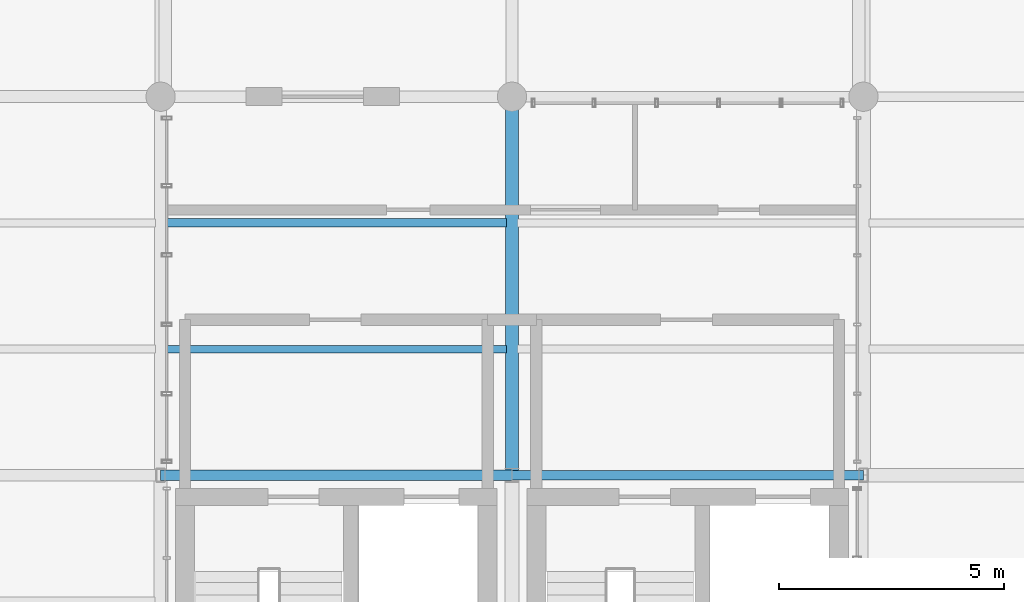
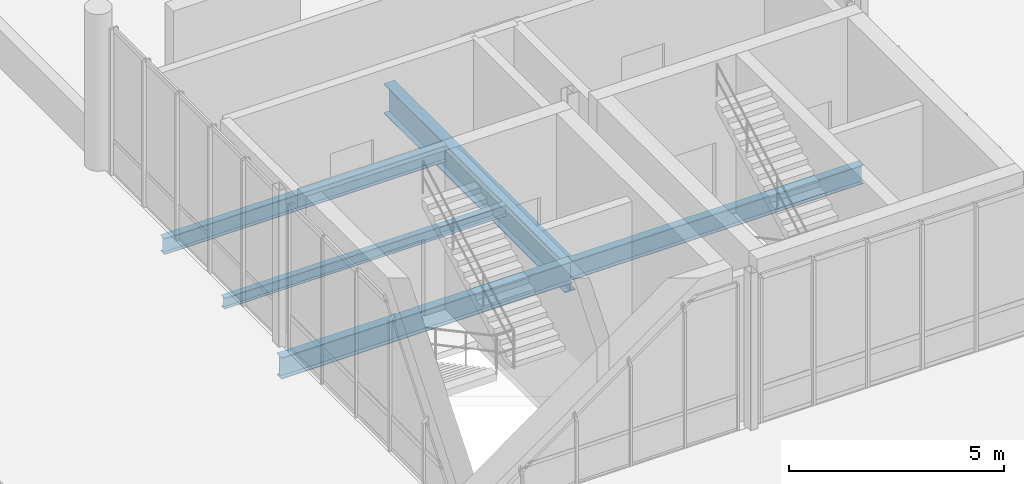
# One storey, part 42 of 66: 5 beams.
"""IFC4 building model written with IfcOpenShell, lengths in metres."""

from ifc_helpers import new_model, si_unit, direction, frame, origin_with_axes, origin_2d_with_axis, place, context, subcontext, project, spatial, i_section, extrude, material, material_profile, profile_set, type_object, element, save


model = new_model("IFC4")

# Units and contexts
model_context = context("Model", 3, precision=1e-05, world=origin_with_axes(), true_north=direction((0.0, 1.0)))
body_context = subcontext(model_context, "Body", "Model", "MODEL_VIEW")
ifc_project = project(units=[si_unit("LENGTHUNIT", "METRE"), si_unit("AREAUNIT", "SQUARE_METRE"), si_unit("VOLUMEUNIT", "CUBIC_METRE"), si_unit("PLANEANGLEUNIT", "RADIAN"), si_unit("MASSUNIT", "GRAM", prefix="KILO"), si_unit("THERMODYNAMICTEMPERATUREUNIT", "KELVIN")], contexts=[model_context])

# Site, building, storey
site_placement = place(None, origin_with_axes())
site = spatial("IfcSite", under=ifc_project, at=site_placement, CompositionType="ELEMENT")
building_placement = place(site_placement, origin_with_axes())
building = spatial("IfcBuilding", under=site, at=building_placement, Name="Montbau Bow Law Courts", CompositionType="ELEMENT")
storey_placement = place(building_placement, frame((0.0, 0.0, 34.5), z_axis=(0.0, 0.0, 1.0), x_axis=(1.0, 0.0, 0.0)))
storey = spatial("IfcBuildingStorey", under=building, at=storey_placement, Name="L07", CompositionType="ELEMENT", Elevation=34.5)

# Beams
ifc_material = material(Name="Steel CSA G40.21 Grade 350W (350 MPa)", Category="steel")
ifc_material_profile_1 = material_profile(ifc_material, i_section(OverallWidth=0.293, OverallDepth=0.846, WebThickness=0.0154, FlangeThickness=0.0244, at=origin_2d_with_axis()), Name="W840X210", Category="Main", Priority=0)
ifc_profile_set_1 = profile_set([ifc_material_profile_1], Name="Steel CSA G40.21 Grade 350W (350 MPa)")
beam_type_1 = type_object("IfcBeamType", Name="B-FLR-02", PredefinedType="BEAM", material=ifc_profile_set_1)
beam_1_placement = place(None, frame((154.8, 94.8, 33.717), z_axis=(0.0, 1.0, 0.0), x_axis=(-1.0, 0.0, 0.0)))
element("IfcBeam", 1, at=beam_1_placement, inside=storey, type_object=beam_type_1, Name="BM-L07-S1368:bm2_1371", PredefinedType="BEAM", context=body_context, shape_type="SweptSolid", body=[
    extrude(i_section(OverallWidth=0.293, OverallDepth=0.846, WebThickness=0.0154, FlangeThickness=0.0244, at=origin_2d_with_axis()), origin_with_axes(), (0.0, 0.0, 1.0), 8.4),
])
ifc_material_profile_2 = material_profile(ifc_material, i_section(OverallWidth=0.229, OverallDepth=0.612, WebThickness=0.0119, FlangeThickness=0.0196, at=origin_2d_with_axis()), Name="W610X125", Category="Main", Priority=0)
ifc_profile_set_2 = profile_set([ifc_material_profile_2], Name="Steel CSA G40.21 Grade 350W (350 MPa)")
beam_type_2 = type_object("IfcBeamType", Name="B-FLR-05", PredefinedType="BEAM", material=ifc_profile_set_2)
beam_2_placement = place(None, frame((147.0, 94.8, 33.904), z_axis=(1.0, 0.0, 0.0), x_axis=(0.0, 1.0, 0.0)))
element("IfcBeam", 2, at=beam_2_placement, inside=storey, type_object=beam_type_2, Name="BM-L07-S1347:bm2_1350", PredefinedType="BEAM", context=body_context, shape_type="SweptSolid", body=[
    extrude(i_section(OverallWidth=0.229, OverallDepth=0.612, WebThickness=0.0119, FlangeThickness=0.0196, at=origin_2d_with_axis()), origin_with_axes(), (0.0, 0.0, 1.0), 7.8),
])
ifc_material_profile_3 = material_profile(ifc_material, i_section(OverallWidth=0.21, OverallDepth=0.537, WebThickness=0.0109, FlangeThickness=0.0174, at=origin_2d_with_axis()), Name="W530X101", Category="Main", Priority=0)
ifc_profile_set_3 = profile_set([ifc_material_profile_3], Name="Steel CSA G40.21 Grade 350W (350 MPa)")
beam_type_3 = type_object("IfcBeamType", Name="B-FLR-06", PredefinedType="BEAM", material=ifc_profile_set_3)
beam_3_placement = place(None, frame((154.8, 94.8, 33.941), z_axis=(1.0, 0.0, 0.0), x_axis=(0.0, 1.0, 0.0)))
element("IfcBeam", 3, at=beam_3_placement, inside=storey, type_object=beam_type_3, Name="BM-L07-S1348:bm2_1351", PredefinedType="BEAM", context=body_context, shape_type="SweptSolid", body=[
    extrude(i_section(OverallWidth=0.21, OverallDepth=0.537, WebThickness=0.0109, FlangeThickness=0.0174, at=origin_2d_with_axis()), origin_with_axes(), (0.0, 0.0, 1.0), 7.8),
])
ifc_material_profile_4 = material_profile(ifc_material, i_section(OverallWidth=0.191, OverallDepth=0.46, WebThickness=0.0099, FlangeThickness=0.016, at=origin_2d_with_axis()), Name="W460X82", Category="Main", Priority=0)
ifc_profile_set_4 = profile_set([ifc_material_profile_4], Name="Steel CSA G40.21 Grade 350W (350 MPa)")
beam_type_4 = type_object("IfcBeamType", Name="B-JST-01", PredefinedType="JOIST", material=ifc_profile_set_4)
beam_4_placement = place(None, frame((147.109, 100.4, 33.91), z_axis=(1.0, 0.0, 0.0), x_axis=(0.0, 1.0, 0.0)))
element("IfcBeam", 4, at=beam_4_placement, inside=storey, type_object=beam_type_4, Name="JST-L07-S0748:jst2_0748", PredefinedType="JOIST", context=body_context, shape_type="SweptSolid", body=[
    extrude(i_section(OverallWidth=0.191, OverallDepth=0.46, WebThickness=0.0099, FlangeThickness=0.016, at=origin_2d_with_axis()), origin_with_axes(), (0.0, 0.0, 1.0), 7.569),
])
ifc_material_profile_5 = material_profile(ifc_material, i_section(OverallWidth=0.166, OverallDepth=0.313, WebThickness=0.0066, FlangeThickness=0.0112, at=origin_2d_with_axis()), Name="W310X45", Category="Main", Priority=0)
ifc_profile_set_5 = profile_set([ifc_material_profile_5], Name="Steel CSA G40.21 Grade 350W (350 MPa)")
beam_type_5 = type_object("IfcBeamType", Name="B-JST-04", PredefinedType="JOIST", material=ifc_profile_set_5)
beam_5_placement = place(None, frame((147.109, 97.6, 33.983), z_axis=(1.0, 0.0, 0.0), x_axis=(0.0, 1.0, 0.0)))
element("IfcBeam", 5, at=beam_5_placement, inside=storey, type_object=beam_type_5, Name="JST-L07-S0747:jst2_0747", PredefinedType="JOIST", context=body_context, shape_type="SweptSolid", body=[
    extrude(i_section(OverallWidth=0.166, OverallDepth=0.313, WebThickness=0.0066, FlangeThickness=0.0112, at=origin_2d_with_axis()), origin_with_axes(), (0.0, 0.0, 1.0), 7.569),
])

save(model, "model.ifc")
